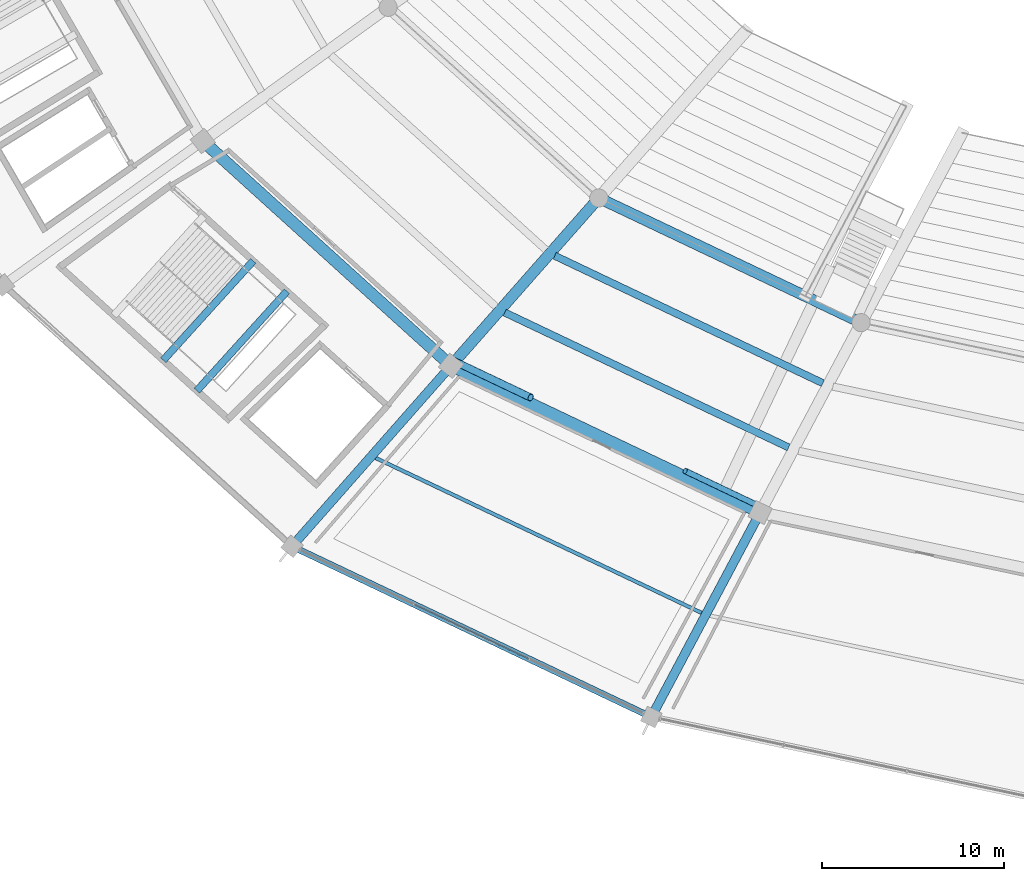
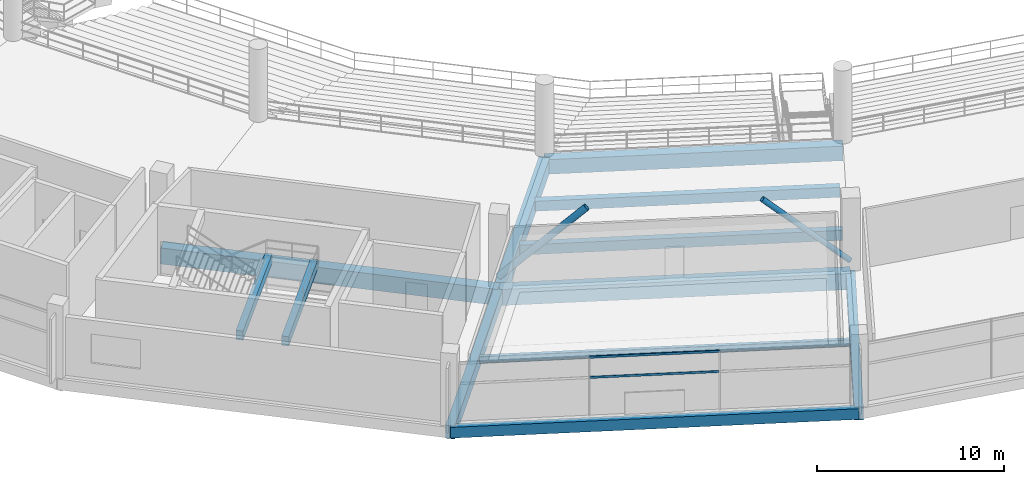
# One storey, part 5 of 156: 12 beams, 4 members, 1 element without a shape of its own.
"""IFC4 building model written with IfcOpenShell, lengths in metres."""

from ifc_helpers import new_model, si_unit, direction, frame, origin, origin_2d, place, context, subcontext, project, spatial, rectangle, hollow_rectangle, hollow_circle, i_section, extrude, material, layer, layer_set, material_profile, profile_set, type_object, element, aggregate, save


model = new_model("IFC4")

# Units and contexts
model_context = context("Model", 3, precision=1e-05, world=origin(), true_north=direction((0.0, 1.0)))
body_context = subcontext(model_context, "Body", "Model", "MODEL_VIEW")
ifc_project = project(units=[si_unit("LENGTHUNIT", "METRE"), si_unit("AREAUNIT", "SQUARE_METRE"), si_unit("VOLUMEUNIT", "CUBIC_METRE"), si_unit("PLANEANGLEUNIT", "RADIAN"), si_unit("MASSUNIT", "GRAM", prefix="KILO")], contexts=[model_context])

# Site, building, storey
site_placement = place(None, origin())
site = spatial("IfcSite", under=ifc_project, at=site_placement, CompositionType="ELEMENT")
building_placement = place(site_placement, origin())
building = spatial("IfcBuilding", under=site, at=building_placement, Name="Kazemori Nagisa Stadium", CompositionType="ELEMENT")
storey_placement = place(building_placement, frame((0.0, 0.0, 5.780029296875)))
storey = spatial("IfcBuildingStorey", under=building, at=storey_placement, Name="L01", CompositionType="ELEMENT", Elevation=5.780029296875)

# Beams
ifc_material_1 = material(Name="Concrete C40/50 (Fc42)", Category="concrete")
ifc_material_profile_1 = material_profile(ifc_material_1, rectangle(XDim=0.39990234375, YDim=0.60009765625, at=origin_2d()), Name="RC-BM-400x600")
ifc_profile_set_1 = profile_set([ifc_material_profile_1], Name="Concrete C40/50 (Fc42)")
beam_type_1 = type_object("IfcBeamType", Name="Beam_BG-LND400X600", PredefinedType="BEAM", material=ifc_profile_set_1)
for number, where, z_axis, x_axis, name in (
    (1, (58.27001953125, 46.66552734375, 1.8798828125), (-0.671113236271, -0.74135485707, 0.0), (0.74135485707, -0.671113236271, 0.0), "Core stair mid-landing girder ST03-L01-1"),
    (2, (60.123291015625, 44.98779296875, 1.8798828125), (-0.671113236271, -0.74135485707, 0.0), (0.74135485707, -0.671113236271, 0.0), "Core stair mid-landing girder ST03-L01-2"),
):
    element("IfcBeam", number, at=place(storey_placement, frame(where, z_axis=z_axis, x_axis=x_axis)), inside=storey, type_object=beam_type_1, Name=name, PredefinedType="BEAM", context=body_context, shape_type="SweptSolid", body=[
        extrude(rectangle(XDim=0.39990234375, YDim=0.60009765625, at=origin_2d()), origin(), (0.0, 0.0, 1.0), 7.385986328125),
    ])
ifc_material_profile_2 = material_profile(ifc_material_1, rectangle(XDim=0.5, YDim=0.85009765625, at=origin_2d()), Name="RC-BM-500x850")
ifc_profile_set_2 = profile_set([ifc_material_profile_2], Name="Concrete C40/50 (Fc42)")
beam_type_2 = type_object("IfcBeamType", Name="Beam_BG-RC500X850", PredefinedType="BEAM", material=ifc_profile_set_2)
beam_1_placement = place(storey_placement, frame((69.165771484375, 40.88916015625, -0.705078125), z_axis=(-0.661019680997, -0.750368563664, 0.0), x_axis=(0.750368563664, -0.661019680997, 0.0)))
element("IfcBeam", 3, at=beam_1_placement, inside=storey, type_object=beam_type_2, Name="Radial girder BG-RC500X850 L01 R2-R3-19", PredefinedType="BEAM", context=body_context, shape_type="SweptSolid", body=[
    extrude(rectangle(XDim=0.5, YDim=0.85009765625, at=origin_2d()), origin(), (0.0, 0.0, 1.0), 13.2578125),
])
beam_2_placement = place(storey_placement, frame((86.18798828125, 32.80078125, -0.705078125), z_axis=(-0.469648511848, -0.882853484628, 0.0), x_axis=(0.882853484628, -0.469648511848, 0.0)))
element("IfcBeam", 4, at=beam_2_placement, inside=storey, type_object=beam_type_2, Name="Radial girder BG-RC500X850 L01 R2-R3-20", PredefinedType="BEAM", context=body_context, shape_type="SweptSolid", body=[
    extrude(rectangle(XDim=0.5, YDim=0.85009765625, at=origin_2d()), origin(), (0.0, 0.0, 1.0), 12.760009765625),
])
ifc_material_profile_3 = material_profile(ifc_material_1, rectangle(XDim=0.60009765625, YDim=0.949951171875, at=origin_2d()), Name="RC-BM-600x950")
ifc_profile_set_3 = profile_set([ifc_material_profile_3], Name="Concrete C40/50 (Fc42)")
beam_type_3 = type_object("IfcBeamType", Name="Beam_BG-RC600X950", PredefinedType="BEAM", material=ifc_profile_set_3)
beam_3_placement = place(storey_placement, frame((77.303466796875, 50.126953125, -0.755126953125), z_axis=(0.903211989129, -0.429194714196, 0.0), x_axis=(0.429194714196, 0.903211989129, 0.0)))
element("IfcBeam", 5, at=beam_3_placement, inside=storey, type_object=beam_type_3, Name="Ring girder BG-RC600X950 L01 R1-19", PredefinedType="BEAM", context=body_context, shape_type="SweptSolid", body=[
    extrude(rectangle(XDim=0.60009765625, YDim=0.949951171875, at=origin_2d()), origin(), (0.0, 0.0, 1.0), 15.997314453125),
])
beam_4_placement = place(storey_placement, frame((77.303466796875, 50.126953125, -0.755126953125), z_axis=(-0.66101406015, -0.75037351518, 0.0), x_axis=(0.75037351518, -0.66101406015, 0.0)))
element("IfcBeam", 6, at=beam_4_placement, inside=storey, type_object=beam_type_3, Name="Radial girder BG-RC600X950 L01 R1-R2-19", PredefinedType="BEAM", context=body_context, shape_type="SweptSolid", body=[
    extrude(rectangle(XDim=0.60009765625, YDim=0.949951171875, at=origin_2d()), origin(), (0.0, 0.0, 1.0), 12.31103515625),
])
ifc_material_profile_4 = material_profile(ifc_material_1, rectangle(XDim=0.64990234375, YDim=1.050048828125, at=origin_2d()), Name="RC-BM-650x1050")
ifc_profile_set_4 = profile_set([ifc_material_profile_4], Name="Concrete C40/50 (Fc42)")
beam_type_4 = type_object("IfcBeamType", Name="Beam_BG-RC650X1050", PredefinedType="BEAM", material=ifc_profile_set_4)
beam_5_placement = place(storey_placement, frame((55.493896484375, 53.265869140625, -0.804931640625), z_axis=(0.741349142139, -0.671119549298, 0.0), x_axis=(0.671119549298, 0.741349142139, 0.0)))
element("IfcBeam", 7, at=beam_5_placement, inside=storey, type_object=beam_type_4, Name="Ring girder BG-RC650X1050 L01 R2-18", PredefinedType="BEAM", context=body_context, shape_type="SweptSolid", body=[
    extrude(rectangle(XDim=0.64990234375, YDim=1.050048828125, at=origin_2d()), origin(), (0.0, 0.0, 1.0), 18.44189453125),
])
beam_6_placement = place(storey_placement, frame((69.165771484375, 40.88916015625, -0.804931640625), z_axis=(0.90321938295, -0.42917915404, 0.0), x_axis=(0.42917915404, 0.90321938295, 0.0)))
element("IfcBeam", 8, at=beam_6_placement, inside=storey, type_object=beam_type_4, Name="Ring girder BG-RC650X1050 L01 R2-19", PredefinedType="BEAM", context=body_context, shape_type="SweptSolid", body=[
    extrude(rectangle(XDim=0.64990234375, YDim=1.050048828125, at=origin_2d()), origin(), (0.0, 0.0, 1.0), 18.84619140625),
])
ifc_material_2 = material(Name="Steel SN490B", Category="steel")
ifc_material_profile_5 = material_profile(ifc_material_2, i_section(OverallWidth=0.199951171875, OverallDepth=0.449951171875, WebThickness=0.009033203125, FlangeThickness=0.013916015625, FilletRadius=0.012939453125, at=origin_2d()), Name="H-450x200x9x14")
ifc_profile_set_5 = profile_set([ifc_material_profile_5], Name="Steel SN490B")
beam_type_5 = type_object("IfcBeamType", Name="Beam_BJ-H450", PredefinedType="JOIST", material=ifc_profile_set_5)
beam_7_placement = place(storey_placement, frame((65.005126953125, 35.81005859375, -0.505126953125), z_axis=(0.903215058486, -0.429188254876, 0.0), x_axis=(0.429188254876, 0.903215058486, 0.0)))
element("IfcBeam", 9, at=beam_7_placement, inside=storey, type_object=beam_type_5, Name="Outer bay joist BJ-H450 L01 B19", PredefinedType="JOIST", context=body_context, shape_type="SweptSolid", body=[
    extrude(i_section(OverallWidth=0.199951171875, OverallDepth=0.449951171875, WebThickness=0.009033203125, FlangeThickness=0.013916015625, FilletRadius=0.012939453125, at=origin_2d()), origin(), (0.0, 0.0, 1.0), 19.89013671875),
])
ifc_material_profile_6 = material_profile(ifc_material_1, rectangle(XDim=0.39990234375, YDim=0.64990234375, at=origin_2d()), Name="RC-BM-400x650")
ifc_profile_set_6 = profile_set([ifc_material_profile_6], Name="Concrete C40/50 (Fc42)")
beam_type_6 = type_object("IfcBeamType", Name="Beam_BJ-RC400X650", PredefinedType="JOIST", material=ifc_profile_set_6)
beam_8_placement = place(storey_placement, frame((74.878173828125, 46.94482421875, -0.60498046875), z_axis=(0.903215717065, -0.429186868912, 0.0), x_axis=(0.429186868912, 0.903215717065, 0.0)))
element("IfcBeam", 10, at=beam_8_placement, inside=storey, type_object=beam_type_6, Name="Concourse joist BJ-RC400X650 L01 B19-1", PredefinedType="JOIST", context=body_context, shape_type="SweptSolid", body=[
    extrude(rectangle(XDim=0.39990234375, YDim=0.64990234375, at=origin_2d()), origin(), (0.0, 0.0, 1.0), 16.349609375),
])
beam_9_placement = place(storey_placement, frame((72.1240234375, 43.818115234375, -0.60498046875), z_axis=(0.903215468459, -0.429187392099, 0.0), x_axis=(0.429187392099, 0.903215468459, 0.0)))
element("IfcBeam", 11, at=beam_9_placement, inside=storey, type_object=beam_type_6, Name="Concourse joist BJ-RC400X650 L01 B19-2", PredefinedType="JOIST", context=body_context, shape_type="SweptSolid", body=[
    extrude(rectangle(XDim=0.39990234375, YDim=0.64990234375, at=origin_2d()), origin(), (0.0, 0.0, 1.0), 17.31396484375),
])
ifc_material_profile_7 = material_profile(ifc_material_1, rectangle(XDim=0.35009765625, YDim=0.699951171875, at=origin_2d()), Name="RC-SP-350x700")
ifc_profile_set_7 = profile_set([ifc_material_profile_7], Name="Concrete C40/50 (Fc42)")
beam_type_7 = type_object("IfcBeamType", Name="Beam_BS-RC350X700", PredefinedType="SPANDREL", material=ifc_profile_set_7)
beam_10_placement = place(storey_placement, frame((60.402099609375, 30.94091796875, -0.630126953125), z_axis=(0.903215644095, -0.429187022475, 0.0), x_axis=(0.429187022475, 0.903215644095, 0.0)))
element("IfcBeam", 12, at=beam_10_placement, inside=storey, type_object=beam_type_7, Name="Ring girder BS-RC350X700 L01 R3-19", PredefinedType="SPANDREL", context=body_context, shape_type="SweptSolid", body=[
    extrude(rectangle(XDim=0.35009765625, YDim=0.699951171875, at=origin_2d()), origin(), (0.0, 0.0, 1.0), 21.9140625),
])

# Members
ifc_material_3 = material(Name="Steel STK490", Category="steel")
ifc_material_profile_8 = material_profile(ifc_material_3, hollow_circle(Radius=0.1591796875, WallThickness=0.01025390625, at=origin_2d()), Name="CHS-318.5x10.3")
ifc_profile_set_8 = profile_set([ifc_material_profile_8], Name="Steel STK490")
member_type_1 = type_object("IfcMemberType", Name="Member_TB-CHS318", PredefinedType="BRACE", material=ifc_profile_set_8)
member_1_placement = place(storey_placement, frame((86.316650390625, 33.07177734375, 0.14990234375), z_axis=(-0.66997778581, 0.318326890143, 0.670669633675), x_axis=(-0.429152995666, -0.903231812057, 0.0)))
element("IfcMember", 13, at=member_1_placement, inside=storey, type_object=member_type_1, Name="Seismic brace TB-CHS318 L01 B19-B", PredefinedType="BRACE", context=body_context, shape_type="SweptSolid", body=[
    extrude(hollow_circle(Radius=0.1591796875, WallThickness=0.01025390625, at=origin_2d()), origin(), (0.0, 0.0, 1.0), 6.351806640625),
])
ifc_material_profile_9 = material_profile(ifc_material_3, hollow_circle(Radius=0.203125, WallThickness=0.014404296875, at=origin_2d()), Name="CHS-406.4x14.3")
ifc_profile_set_9 = profile_set([ifc_material_profile_9], Name="Steel STK490")
member_type_2 = type_object("IfcMemberType", Name="Member_TB-CHS406", PredefinedType="BRACE", material=ifc_profile_set_9)
member_2_placement = place(storey_placement, frame((69.29443359375, 41.16015625, 0.14990234375), z_axis=(0.66997778581, -0.318326890143, 0.670669633675), x_axis=(0.429152995666, 0.903231812057, 0.0)))
element("IfcMember", 14, at=member_2_placement, inside=storey, type_object=member_type_2, Name="Seismic brace TB-CHS355 L01 B19-A", PredefinedType="BRACE", context=body_context, shape_type="SweptSolid", body=[
    extrude(hollow_circle(Radius=0.203125, WallThickness=0.014404296875, at=origin_2d()), origin(), (0.0, 0.0, 1.0), 6.351806640625),
])

# Curtain wall, members
ifc_material_4 = material(Name="Anodised aluminium 6063-T5", Category="aluminium")
ifc_layer = layer(ifc_material_4, 0.179931640625, Name="Anodised aluminium 6063-T5", Category="aluminium")
ifc_layer_set = layer_set([ifc_layer], Name="Anodised aluminium 6063-T5")
curtain_wall_type = type_object("IfcCurtainWallType", Name="CW_L01R3_105", PredefinedType="USERDEFINED", material=ifc_layer_set)
curtain_wall_placement = place(storey_placement, origin())
curtain_wall = element("IfcCurtainWall", 15, at=curtain_wall_placement, inside=storey, type_object=curtain_wall_type, Name="Unitised curtain wall CW-L01R3-105 L01", ObjectType="UNITISED CURTAIN WALL", PredefinedType="USERDEFINED")
ifc_material_5 = material(Name="Aluminium 6063-T5 anodised", Category="aluminium")
ifc_material_profile_10 = material_profile(ifc_material_5, hollow_rectangle(XDim=0.070068359375, YDim=0.139892578125, WallThickness=0.00390625, at=origin_2d()), Name="ALU-TRAN-70x140x4")
ifc_profile_set_10 = profile_set([ifc_material_profile_10], Name="Aluminium 6063-T5 anodised")
member_type_3 = type_object("IfcMemberType", Name="Transom_T01", PredefinedType="USERDEFINED", material=ifc_profile_set_10)
member_3_placement = place(storey_placement, frame((67.160888671875, 27.7294921875, 2.4638671875), z_axis=(0.903207701329, -0.429203737473, 0.0), x_axis=(0.429203737473, 0.903207701329, 0.0)))
member_3 = element("IfcMember", 16, at=member_3_placement, type_object=member_type_3, Name="Curtain wall transom CW-L01R3-105-T2-mid", ObjectType="TRANSOM", PredefinedType="USERDEFINED", context=body_context, shape_type="SweptSolid", body=[
    extrude(hollow_rectangle(XDim=0.070068359375, YDim=0.139892578125, WallThickness=0.00390625, at=origin_2d()), origin(), (0.0, 0.0, 1.0), 6.9482421875),
])
member_4_placement = place(storey_placement, frame((67.160888671875, 27.7294921875, 3.780029296875), z_axis=(0.903207701329, -0.429203737473, 0.0), x_axis=(0.429203737473, 0.903207701329, 0.0)))
member_4 = element("IfcMember", 17, at=member_4_placement, type_object=member_type_3, Name="Curtain wall transom CW-L01R3-105-T2-head", ObjectType="TRANSOM", PredefinedType="USERDEFINED", context=body_context, shape_type="SweptSolid", body=[
    extrude(hollow_rectangle(XDim=0.070068359375, YDim=0.139892578125, WallThickness=0.00390625, at=origin_2d()), origin(), (0.0, 0.0, 1.0), 6.9482421875),
])
aggregate(curtain_wall, [member_3, member_4])

save(model, "model.ifc")
